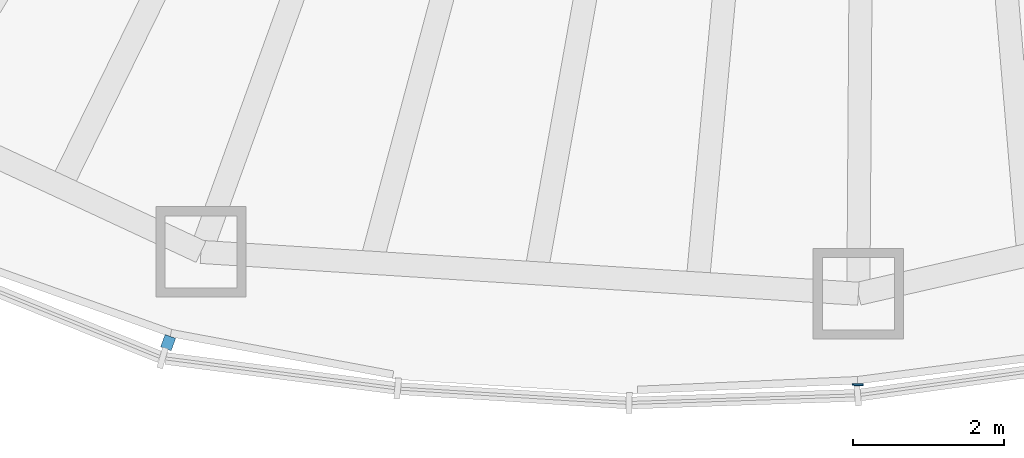
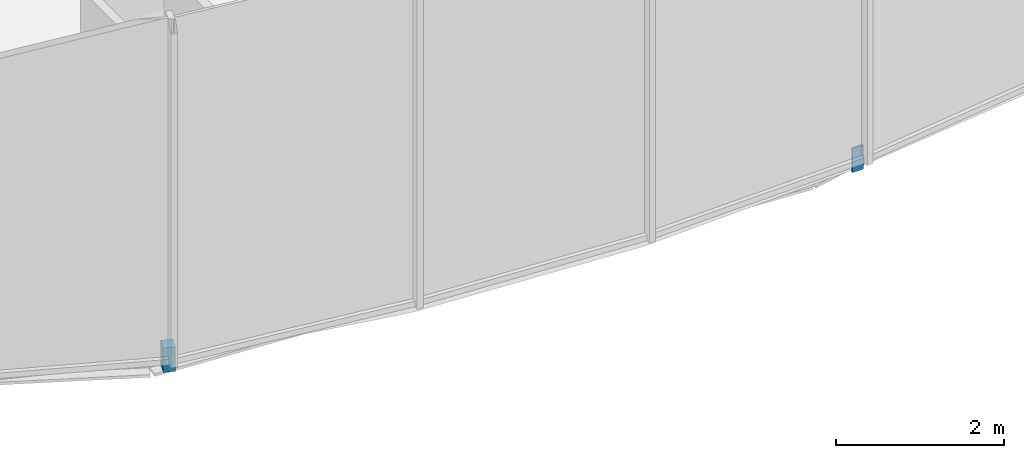
# One storey, part 11 of 18: 2 discrete accessories.
"""IFC4 building model written with IfcOpenShell, lengths in metres."""

from ifc_helpers import new_model, si_unit, direction, frame, origin, origin_2d, place, context, subcontext, project, spatial, rectangle, extrude, material, type_object, element, save


model = new_model("IFC4")

# Units and contexts
model_context = context("Model", 3, precision=1e-05, world=origin(), true_north=direction((0.0, 1.0)))
body_context = subcontext(model_context, "Body", "Model", "MODEL_VIEW")
ifc_project = project(units=[si_unit("LENGTHUNIT", "METRE"), si_unit("AREAUNIT", "SQUARE_METRE"), si_unit("VOLUMEUNIT", "CUBIC_METRE"), si_unit("PLANEANGLEUNIT", "RADIAN"), si_unit("MASSUNIT", "GRAM", prefix="KILO")], contexts=[model_context])

# Site, building, storey
site_placement = place(None, origin())
site = spatial("IfcSite", under=ifc_project, at=site_placement, CompositionType="ELEMENT")
building_placement = place(site_placement, origin())
building = spatial("IfcBuilding", under=site, at=building_placement, Name="Ghaith Harvest Tower", CompositionType="ELEMENT")
storey_placement = place(building_placement, frame((0.0, 0.0, 184.800048828125)))
storey = spatial("IfcBuildingStorey", under=building, at=storey_placement, Name="L40", CompositionType="ELEMENT", Elevation=184.800048828125)

# Discrete accessories
ifc_material_1 = material(Name="Stainless steel grade 1.4401", Category="steel")
discrete_accessory_type_1 = type_object("IfcDiscreteAccessoryType", Name="CURTAIN WALL BRACKET 175", PredefinedType="BRACKET", material=ifc_material_1)
discrete_accessory_1_placement = place(storey_placement, frame((-9.34521484375, -25.8740234375, -0.25), z_axis=(0.0, 0.0, 1.0), x_axis=(-0.33969945263, -0.940534040789, 0.0)))
element("IfcDiscreteAccessory", 1, at=discrete_accessory_1_placement, inside=storey, type_object=discrete_accessory_type_1, Name="CW-S bracket 1 bay 15 L40", PredefinedType="BRACKET", context=body_context, shape_type="SweptSolid", body=[
    extrude(rectangle(XDim=0.175048828125, YDim=0.14990234375, at=origin_2d()), origin(), (0.0, 0.0, 1.0), 0.35009765625),
])
ifc_material_2 = material(Name="Stainless steel grade 1.4401", Category="steel")
discrete_accessory_type_2 = type_object("IfcDiscreteAccessoryType", Name="CURTAIN WALL BRACKET 25", PredefinedType="BRACKET", material=ifc_material_2)
discrete_accessory_2_placement = place(storey_placement, frame((-0.180908203125, -26.43115234375, -0.25), z_axis=(0.0, 0.0, 1.0), x_axis=(-0.006843747957, -0.999976581283, 0.0)))
element("IfcDiscreteAccessory", 2, at=discrete_accessory_2_placement, inside=storey, type_object=discrete_accessory_type_2, Name="CW-S bracket 1 bay 16 L40", PredefinedType="BRACKET", context=body_context, shape_type="SweptSolid", body=[
    extrude(rectangle(XDim=0.02490234375, YDim=0.14990234375, at=origin_2d()), origin(), (0.0, 0.0, 1.0), 0.35009765625),
])

save(model, "model.ifc")
